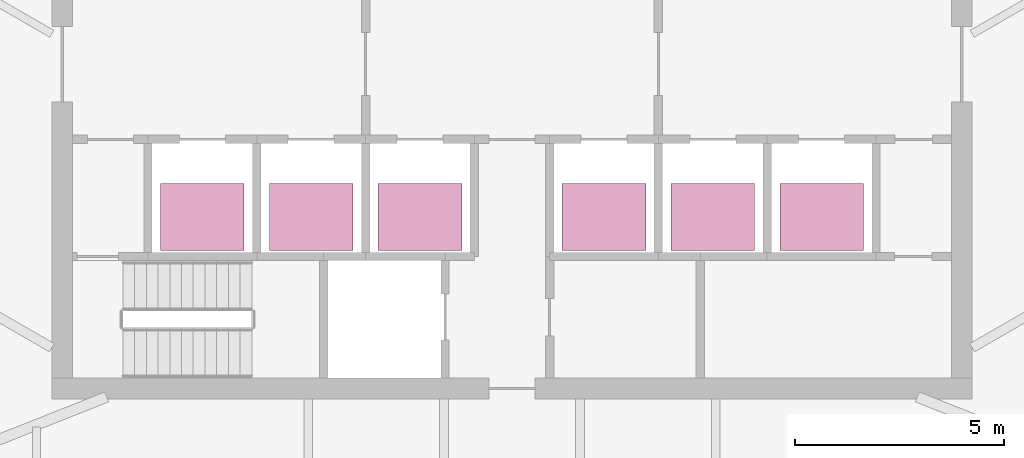
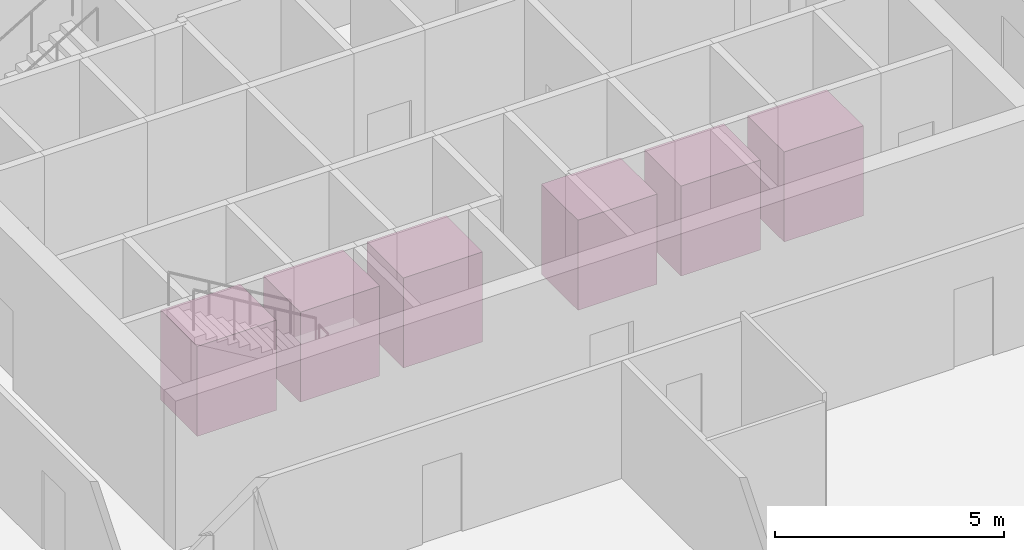
# One storey, part 19 of 19: 6 transport elements.
"""IFC4 building model written with IfcOpenShell, lengths in metres."""

from ifc_helpers import new_model, si_unit, direction, frame, origin, origin_2d, place, context, subcontext, project, spatial, rectangle, extrude, material, type_object, element, save


model = new_model("IFC4")

# Units and contexts
model_context = context("Model", 3, precision=1e-05, world=origin(), true_north=direction((0.0, 1.0)))
body_context = subcontext(model_context, "Body", "Model", "MODEL_VIEW")
ifc_project = project(units=[si_unit("LENGTHUNIT", "METRE"), si_unit("AREAUNIT", "SQUARE_METRE"), si_unit("VOLUMEUNIT", "CUBIC_METRE"), si_unit("PLANEANGLEUNIT", "RADIAN"), si_unit("MASSUNIT", "GRAM", prefix="KILO")], contexts=[model_context])

# Site, building, storey
site_placement = place(None, origin())
site = spatial("IfcSite", under=ifc_project, at=site_placement, CompositionType="ELEMENT")
building_placement = place(site_placement, origin())
building = spatial("IfcBuilding", under=site, at=building_placement, Name="Sierra Prisma Convention Tower", CompositionType="ELEMENT")
storey_placement = place(building_placement, frame((0.0, 0.0, 209.800048828125)))
storey = spatial("IfcBuildingStorey", under=building, at=storey_placement, Name="L47", CompositionType="ELEMENT", Elevation=209.800048828125)

# Transport elements
ifc_material = material(Name="Stainless steel", Category="steel")
transport_element_type = type_object("IfcTransportElementType", Name="Lift car office low 2000x1600 1600 kg", PredefinedType="ELEVATOR", material=ifc_material)
for number, where, z_axis, x_axis, name in (
    (1, (-7.39990234375, -3.64990234375, 0.0), (0.0, 0.0, 1.0), (1.0, 0.0, 0.0), "Lift OL1"),
    (2, (-4.800048828125, -3.64990234375, 0.0), (0.0, 0.0, 1.0), (1.0, 0.0, 0.0), "Lift OL2"),
    (3, (-2.199951171875, -3.64990234375, 0.0), (0.0, 0.0, 1.0), (1.0, 0.0, 0.0), "Lift OL3"),
    (4, (2.199951171875, -3.64990234375, 0.0), (0.0, 0.0, 1.0), (1.0, 0.0, 0.0), "Lift OL4"),
    (5, (4.800048828125, -3.64990234375, 0.0), (0.0, 0.0, 1.0), (1.0, 0.0, 0.0), "Lift OL5"),
    (6, (7.39990234375, -3.64990234375, 0.0), (0.0, 0.0, 1.0), (1.0, 0.0, 0.0), "Lift OL6"),
):
    element("IfcTransportElement", number, at=place(storey_placement, frame(where, z_axis=z_axis, x_axis=x_axis)), inside=storey, type_object=transport_element_type, Name=name, PredefinedType="ELEVATOR", context=body_context, shape_type="SweptSolid", body=[
        extrude(rectangle(XDim=2.0, YDim=1.60009765625, at=origin_2d()), origin(), (0.0, 0.0, 1.0), 2.39990234375),
    ])

save(model, "model.ifc")
